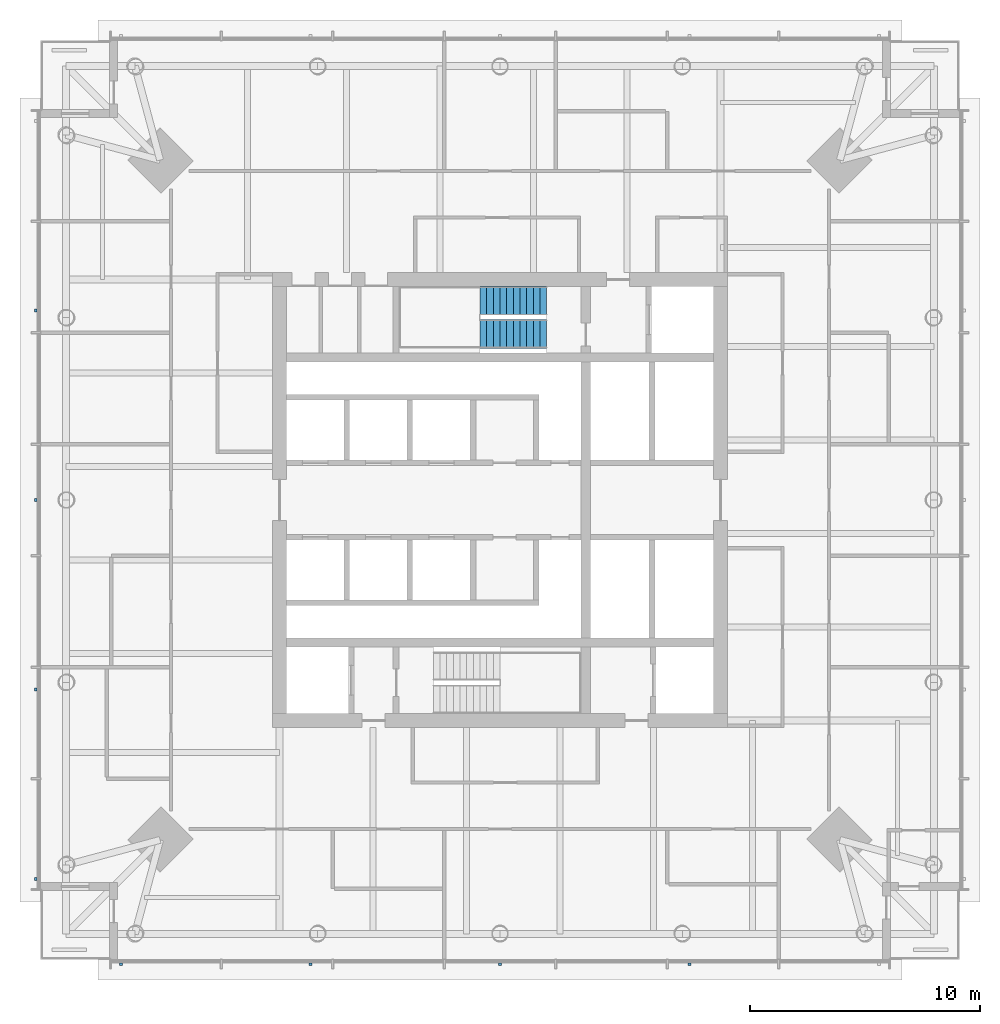
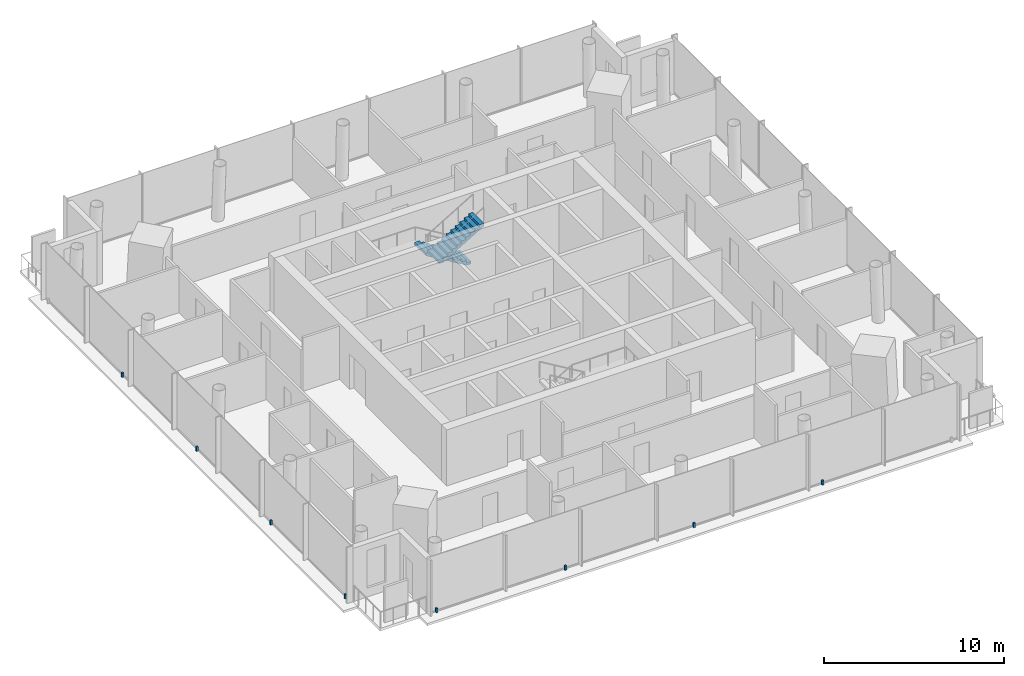
# One storey, part 7 of 10: 8 discrete accessories, 2 stair flights, 1 element without a shape of its own.
"""IFC4 building model written with IfcOpenShell, lengths in metres."""

from ifc_helpers import new_model, si_unit, direction, frame, origin, origin_2d, place, context, subcontext, project, spatial, polyline, rectangle, outline, extrude, material, type_object, element, aggregate, save


model = new_model("IFC4")

# Units and contexts
model_context = context("Model", 3, precision=1e-05, world=origin(), true_north=direction((0.0, 1.0)))
body_context = subcontext(model_context, "Body", "Model", "MODEL_VIEW")
ifc_project = project(units=[si_unit("LENGTHUNIT", "METRE"), si_unit("AREAUNIT", "SQUARE_METRE"), si_unit("VOLUMEUNIT", "CUBIC_METRE"), si_unit("PLANEANGLEUNIT", "RADIAN"), si_unit("MASSUNIT", "GRAM", prefix="KILO")], contexts=[model_context])

# Site, building, storey
site_placement = place(None, origin())
site = spatial("IfcSite", under=ifc_project, at=site_placement, CompositionType="ELEMENT")
building_placement = place(site_placement, origin())
building = spatial("IfcBuilding", under=site, at=building_placement, Name="Ostroluk Exchange", CompositionType="ELEMENT")
storey_placement = place(building_placement, frame((0.0, 0.0, 180.60009765625)))
storey = spatial("IfcBuildingStorey", under=building, at=storey_placement, Name="L46", CompositionType="ELEMENT", Elevation=180.60009765625)

# Stair, stair flights
ifc_material_1 = material(Name="Concrete C30/37", Category="concrete")
stair_type = type_object("IfcStairType", Name="Exit stair half turn 3800", PredefinedType="HALF_TURN_STAIR", material=ifc_material_1)
stair_placement = place(storey_placement, origin())
stair = element("IfcStair", 1, at=stair_placement, inside=storey, type_object=stair_type, Name="Stair T1-S2 L46", PredefinedType="HALF_TURN_STAIR")
ifc_material_2 = material(Name="Concrete C30/37", Category="concrete")
stair_flight_type = type_object("IfcStairFlightType", Name="Stair flight 11 risers 172.7 x 290", PredefinedType="STRAIGHT", material=ifc_material_2)
stair_flight_1_placement = place(storey_placement, frame((47.030029296875, 54.675048828125, 0.0), z_axis=(0.0, 0.0, 1.0), x_axis=(-1.0, 0.0, 0.0)))
stair_flight_1 = element("IfcStairFlight", 2, at=stair_flight_1_placement, type_object=stair_flight_type, Name="T1-S2 flight 1", NumberOfRisers=11, NumberOfTreads=10, PredefinedType="STRAIGHT", RiserHeight=0.172727273, TreadLength=0.29, context=body_context, shape_type="SweptSolid", body=[
    extrude(outline(polyline([(0.0, 0.0), (0.0, 0.172607421875), (0.2900390625, 0.172607421875), (0.2900390625, 0.345458984375), (0.580078125, 0.345458984375), (0.580078125, 0.51806640625), (0.8701171875, 0.51806640625), (0.8701171875, 0.69091796875), (1.159912109375, 0.69091796875), (1.159912109375, 0.863525390625), (1.449951171875, 0.863525390625), (1.449951171875, 1.036376953125), (1.739990234375, 1.036376953125), (1.739990234375, 1.208984375), (2.030029296875, 1.208984375), (2.030029296875, 1.3818359375), (2.320068359375, 1.3818359375), (2.320068359375, 1.554443359375), (2.610107421875, 1.554443359375), (2.610107421875, 1.727294921875), (2.89990234375, 1.727294921875), (2.89990234375, 1.89990234375), (2.89990234375, 1.552734375), (0.29296875, 0.0), (0.0, 0.0)])), frame((0.0, 0.625, 0.0), z_axis=(0.0, -1.0, 0.0), x_axis=(1.0, 0.0, 0.0)), (0.0, 0.0, 1.0), 1.25),
])
stair_flight_2_placement = place(storey_placement, frame((44.1298828125, 53.22509765625, 1.89990234375), z_axis=(0.0, 0.0, 1.0), x_axis=(1.0, 0.0, 0.0)))
stair_flight_2 = element("IfcStairFlight", 3, at=stair_flight_2_placement, type_object=stair_flight_type, Name="T1-S2 flight 2", NumberOfRisers=11, NumberOfTreads=10, PredefinedType="STRAIGHT", RiserHeight=0.172727273, TreadLength=0.29, context=body_context, shape_type="SweptSolid", body=[
    extrude(outline(polyline([(0.0, 0.0), (0.0, 0.172607421875), (0.2900390625, 0.172607421875), (0.2900390625, 0.345458984375), (0.580078125, 0.345458984375), (0.580078125, 0.51806640625), (0.8701171875, 0.51806640625), (0.8701171875, 0.69091796875), (1.159912109375, 0.69091796875), (1.159912109375, 0.863525390625), (1.449951171875, 0.863525390625), (1.449951171875, 1.036376953125), (1.739990234375, 1.036376953125), (1.739990234375, 1.208984375), (2.030029296875, 1.208984375), (2.030029296875, 1.3818359375), (2.320068359375, 1.3818359375), (2.320068359375, 1.554443359375), (2.610107421875, 1.554443359375), (2.610107421875, 1.727294921875), (2.89990234375, 1.727294921875), (2.89990234375, 1.89990234375), (2.89990234375, 1.552734375), (0.29296875, 0.0), (0.0, 0.0)])), frame((0.0, 0.625, 0.0), z_axis=(0.0, -1.0, 0.0), x_axis=(1.0, 0.0, 0.0)), (0.0, 0.0, 1.0), 1.25),
])
aggregate(stair, [stair_flight_1, stair_flight_2])

# Discrete accessories
ifc_material_3 = material(Name="Stainless steel", Category="steel")
discrete_accessory_type = type_object("IfcDiscreteAccessoryType", Name="Fall-arrest anchor PN-EN 795 type C", PredefinedType="USERDEFINED", material=ifc_material_3)
for number, where, z_axis, x_axis, name in (
    (4, (28.5, 25.7900390625, 0.0), (0.0, 0.0, 1.0), (1.0, 0.0, 0.0), "Fall-arrest anchor L46 south 1"),
    (5, (36.75, 25.7900390625, 0.0), (0.0, 0.0, 1.0), (1.0, 0.0, 0.0), "Fall-arrest anchor L46 south 2"),
    (6, (45.0, 25.7900390625, 0.0), (0.0, 0.0, 1.0), (1.0, 0.0, 0.0), "Fall-arrest anchor L46 south 3"),
    (7, (53.25, 25.7900390625, 0.0), (0.0, 0.0, 1.0), (1.0, 0.0, 0.0), "Fall-arrest anchor L46 south 4"),
    (8, (24.7900390625, 29.5, 0.0), (0.0, 0.0, 1.0), (1.0, 0.0, 0.0), "Fall-arrest anchor L46 west 1"),
    (9, (24.7900390625, 37.75, 0.0), (0.0, 0.0, 1.0), (1.0, 0.0, 0.0), "Fall-arrest anchor L46 west 2"),
    (10, (24.7900390625, 46.0, 0.0), (0.0, 0.0, 1.0), (1.0, 0.0, 0.0), "Fall-arrest anchor L46 west 3"),
    (11, (24.7900390625, 54.25, 0.0), (0.0, 0.0, 1.0), (1.0, 0.0, 0.0), "Fall-arrest anchor L46 west 4"),
):
    element("IfcDiscreteAccessory", number, at=place(storey_placement, frame(where, z_axis=z_axis, x_axis=x_axis)), inside=storey, type_object=discrete_accessory_type, Name=name, ObjectType="FALL ARREST ANCHOR", PredefinedType="USERDEFINED", context=body_context, shape_type="SweptSolid", body=[
        extrude(rectangle(XDim=0.1201171875, YDim=0.1201171875, at=origin_2d()), origin(), (0.0, 0.0, 1.0), 0.300048828125),
    ])

save(model, "model.ifc")
